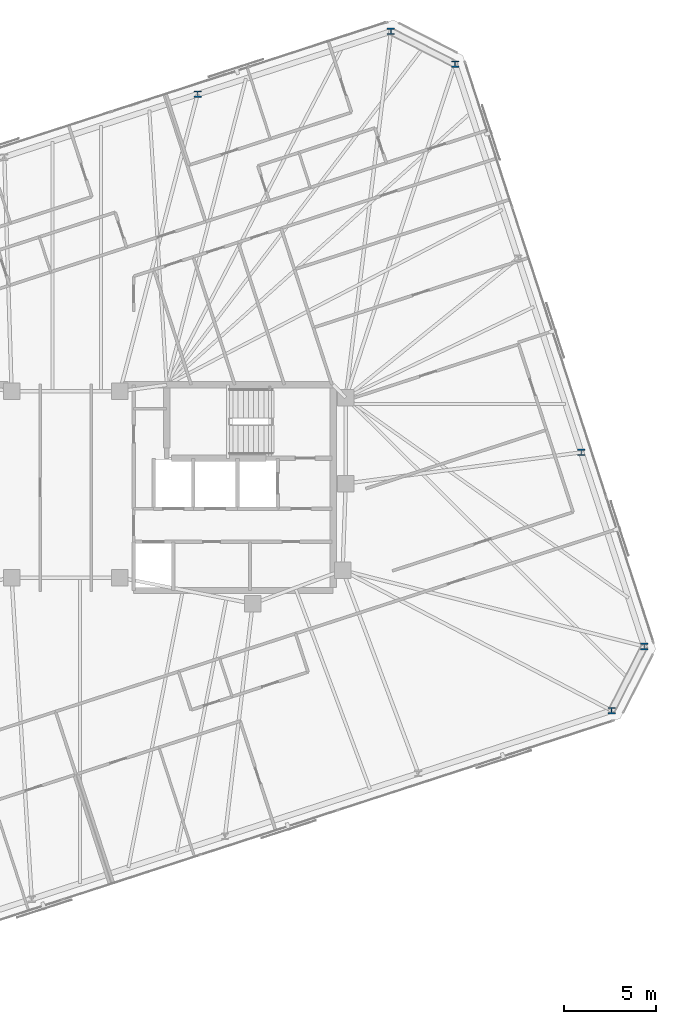
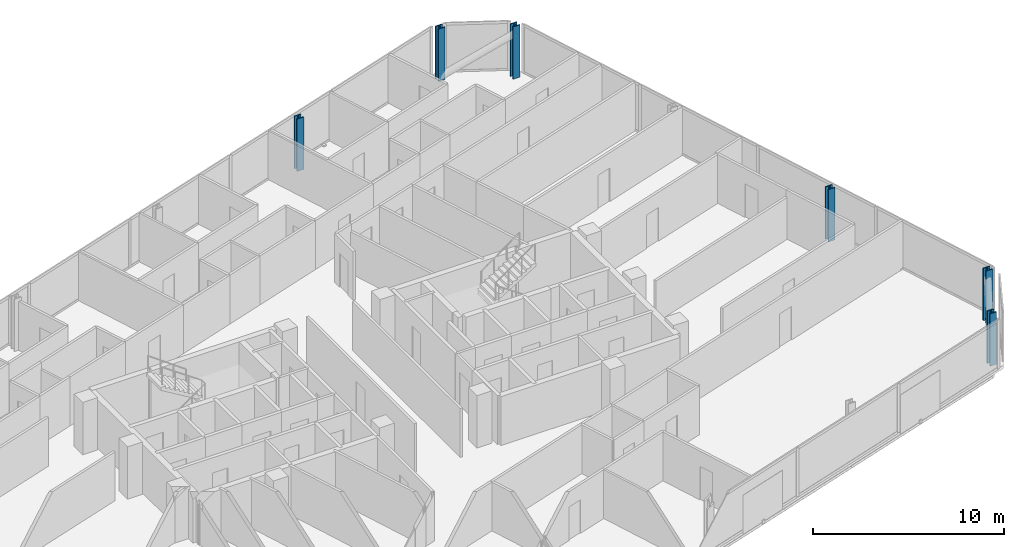
# One storey, part 4 of 20: 6 columns.
"""IFC4 building model written with IfcOpenShell, lengths in metres."""

from ifc_helpers import new_model, si_unit, direction, frame, origin, origin_2d, place, context, subcontext, project, spatial, i_section, extrude, material, material_profile, profile_set, type_object, element, save


model = new_model("IFC4")

# Units and contexts
model_context = context("Model", 3, precision=1e-05, world=origin(), true_north=direction((0.0, 1.0)))
body_context = subcontext(model_context, "Body", "Model", "MODEL_VIEW")
ifc_project = project(units=[si_unit("LENGTHUNIT", "METRE"), si_unit("AREAUNIT", "SQUARE_METRE"), si_unit("VOLUMEUNIT", "CUBIC_METRE"), si_unit("PLANEANGLEUNIT", "RADIAN"), si_unit("MASSUNIT", "GRAM", prefix="KILO")], contexts=[model_context])

# Site, building, storey
site_placement = place(None, origin())
site = spatial("IfcSite", under=ifc_project, at=site_placement, CompositionType="ELEMENT")
building_placement = place(site_placement, origin())
building = spatial("IfcBuilding", under=site, at=building_placement, Name="Menara Jurai Vektor", CompositionType="ELEMENT")
storey_placement = place(building_placement, frame((0.0, 0.0, 244.39990234375)))
storey = spatial("IfcBuildingStorey", under=building, at=storey_placement, Name="L65", CompositionType="ELEMENT", Elevation=244.39990234375)

# Columns
ifc_material = material(Name="Steel S460", Category="steel")
ifc_material_profile = material_profile(ifc_material, i_section(OverallWidth=0.405029296875, OverallDepth=0.35498046875, WebThickness=0.0419921875, FlangeThickness=0.068115234375, FilletRadius=0.014892578125, at=origin_2d()), Name="HD 400x551")
ifc_profile_set = profile_set([ifc_material_profile], Name="Steel S460")
column_type = type_object("IfcColumnType", Name="STR-EXO-BLK4", PredefinedType="COLUMN", material=ifc_profile_set)
for number, where, z_axis, x_axis, name in (
    (1, (29.733642578125, -12.14501953125, 0.0), (0.0, 0.0, 1.0), (1.0, 0.0, 0.0), "Exoskeleton Column BLK4-S6 L65"),
    (2, (31.513427734375, -8.652099609375, 0.0), (0.0, 0.0, 1.0), (1.0, 0.0, 0.0), "Exoskeleton Column BLK4-E1 L65"),
    (3, (28.07763671875, 1.92236328125, 0.0), (0.0, 0.0, 1.0), (1.0, 0.0, 0.0), "Exoskeleton Column BLK4-E2 L65"),
    (4, (21.2060546875, 23.071044921875, 0.0), (0.0, 0.0, 1.0), (1.0, 0.0, 0.0), "Exoskeleton Column BLK4-E4 L65"),
    (5, (17.712890625, 24.85107421875, 0.0), (0.0, 0.0, 1.0), (1.0, 0.0, 0.0), "Exoskeleton Column BLK4-N1 L65"),
    (6, (7.18359375, 21.4296875, 0.0), (0.0, 0.0, 1.0), (1.0, 0.0, 0.0), "Exoskeleton Column BLK4-N2 L65"),
):
    element("IfcColumn", number, at=place(storey_placement, frame(where, z_axis=z_axis, x_axis=x_axis)), inside=storey, type_object=column_type, Name=name, PredefinedType="COLUMN", context=body_context, shape_type="SweptSolid", body=[
        extrude(i_section(OverallWidth=0.405029296875, OverallDepth=0.35498046875, WebThickness=0.0419921875, FlangeThickness=0.068115234375, FilletRadius=0.014892578125, at=origin_2d()), origin(), (0.0, 0.0, 1.0), 3.35009765625),
    ])

save(model, "model.ifc")
